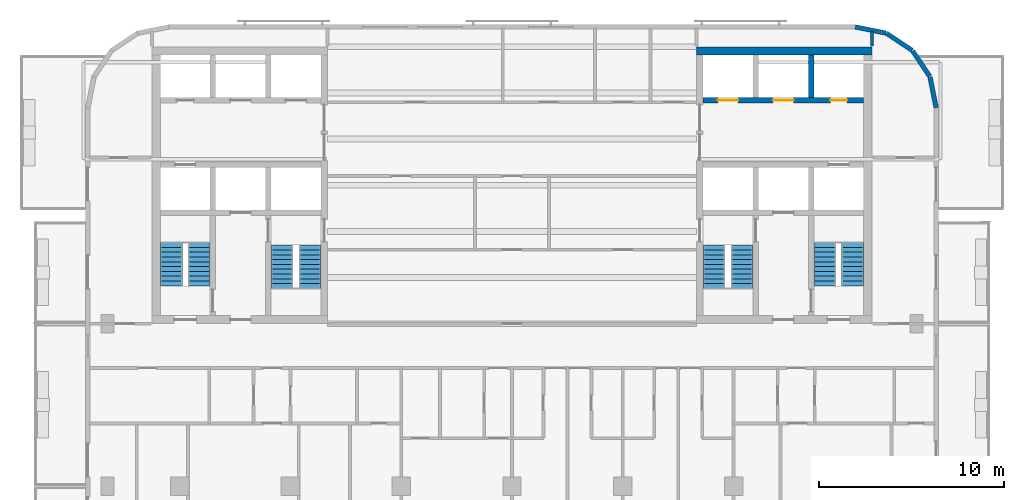
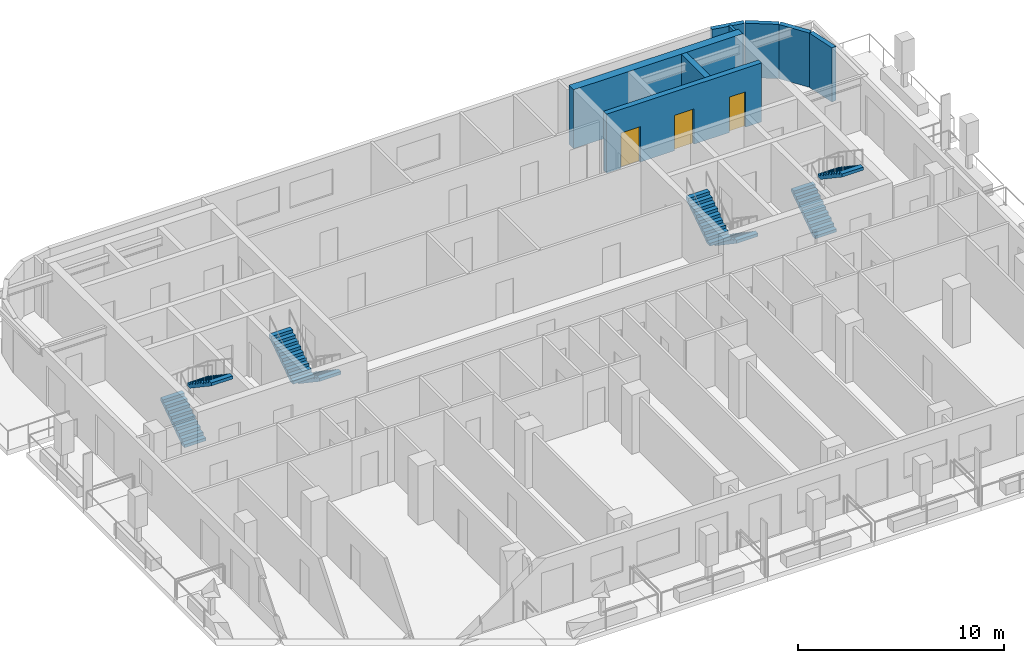
# One storey, part 7 of 11: 8 stair flights, 8 walls, 3 doors, 3 openings, 4 elements without a shape of their own.
"""IFC4 building model written with IfcOpenShell, lengths in metres."""

from ifc_helpers import new_model, si_unit, direction, frame, frame_2d, origin, place, context, subcontext, project, spatial, polyline, rectangle, outline, extrude, material, layer, layer_set, type_object, element, fill, aggregate, save


model = new_model("IFC4")

# Units and contexts
model_context = context("Model", 3, precision=1e-05, world=origin(), true_north=direction((0.0, 1.0)))
body_context = subcontext(model_context, "Body", "Model", "MODEL_VIEW")
ifc_project = project(units=[si_unit("LENGTHUNIT", "METRE"), si_unit("AREAUNIT", "SQUARE_METRE"), si_unit("VOLUMEUNIT", "CUBIC_METRE"), si_unit("PLANEANGLEUNIT", "RADIAN"), si_unit("MASSUNIT", "GRAM", prefix="KILO")], contexts=[model_context])

# Site, building, storey
site_placement = place(None, origin())
site = spatial("IfcSite", under=ifc_project, at=site_placement, CompositionType="ELEMENT")
building_placement = place(site_placement, origin())
building = spatial("IfcBuilding", under=site, at=building_placement, Name="Torana Hotel and Residences", CompositionType="ELEMENT")
storey_placement = place(building_placement, frame((0.0, 0.0, 280.60009765625)))
storey = spatial("IfcBuildingStorey", under=building, at=storey_placement, Name="L74", CompositionType="ELEMENT", Elevation=280.60009765625)

# Wall, openings, doors
ifc_material_1 = material(Name="Concrete C60/75", Category="concrete")
ifc_layer_1 = layer(ifc_material_1, 0.300048828125)
ifc_layer_set_1 = layer_set([ifc_layer_1], Name="CORE WALL 300 C60/75")
wall_type_1 = type_object("IfcWallType", Name="CORE WALL 300 C60/75", PredefinedType="SHEAR", material=ifc_layer_set_1)
wall_1_placement = place(storey_placement, frame((10.35009765625, -2.89990234375, 0.0), z_axis=(0.0, 0.0, 1.0), x_axis=(1.0, 0.0, 0.0)))
wall_1 = element("IfcWall", 1, at=wall_1_placement, inside=storey, type_object=wall_type_1, Name="Core wall E row-N", PredefinedType="SHEAR", context=body_context, shape_type="SweptSolid", body=[
    extrude(rectangle(XDim=8.699951171875, YDim=0.300048828125, at=frame_2d((4.35009765625, 0.0))), origin(), (0.0, 0.0, 1.0), 3.5),
])
opening_1_placement = place(wall_1_placement, frame((0.800048828125, 0.0, 0.0)))
opening_1 = element("IfcOpeningElement", 2, at=opening_1_placement, cuts=wall_1, Name="Opening LD", PredefinedType="OPENING", context=body_context, shape_type="SweptSolid", body=[
    extrude(rectangle(XDim=1.10009765625, YDim=2.10009765625, at=frame_2d((0.550048828125, 1.050048828125))), frame((0.0, 0.159912109375, 0.0), z_axis=(0.0, -1.0, 0.0), x_axis=(1.0, 0.0, 0.0)), (0.0, 0.0, 1.0), 0.320068359375),
])
opening_2_placement = place(wall_1_placement, frame((3.800048828125, 0.0, 0.0)))
opening_2 = element("IfcOpeningElement", 3, at=opening_2_placement, cuts=wall_1, Name="Opening LD", PredefinedType="OPENING", context=body_context, shape_type="SweptSolid", body=[
    extrude(rectangle(XDim=1.10009765625, YDim=2.10009765625, at=frame_2d((0.550048828125, 1.050048828125))), frame((0.0, 0.159912109375, 0.0), z_axis=(0.0, -1.0, 0.0), x_axis=(1.0, 0.0, 0.0)), (0.0, 0.0, 1.0), 0.320068359375),
])
opening_3_placement = place(wall_1_placement, frame((6.89990234375, 0.0, 0.0)))
opening_3 = element("IfcOpeningElement", 4, at=opening_3_placement, cuts=wall_1, Name="Opening L74-14", PredefinedType="OPENING", context=body_context, shape_type="SweptSolid", body=[
    extrude(rectangle(XDim=0.89990234375, YDim=2.10009765625, at=frame_2d((0.449951171875, 1.050048828125))), frame((0.0, 0.159912109375, 0.0), z_axis=(0.0, -1.0, 0.0), x_axis=(1.0, 0.0, 0.0)), (0.0, 0.0, 1.0), 0.320068359375),
])
ifc_material_2 = material(Name="Stainless steel 316", Category="steel")
door_type_1 = type_object("IfcDoorType", Name="LIFT LANDING DOOR LD 1100x2100", OperationType="DOUBLE_DOOR_SLIDING", PredefinedType="USERDEFINED", material=ifc_material_2)
door_1_placement = place(opening_1_placement, origin())
door_1 = element("IfcDoor", 5, at=door_1_placement, inside=storey, type_object=door_type_1, Name="Lift landing door H3 L74", ObjectType="LIFT LANDING DOOR", OperationType="DOUBLE_DOOR_SLIDING", OverallHeight=2.10009765625, OverallWidth=1.10009765625, PredefinedType="USERDEFINED", context=body_context, shape_type="SweptSolid", body=[
    extrude(rectangle(XDim=1.10009765625, YDim=2.10009765625, at=frame_2d((0.550048828125, 1.050048828125))), frame((0.0, 0.02490234375, 0.0), z_axis=(0.0, -1.0, 0.0), x_axis=(1.0, 0.0, 0.0)), (0.0, 0.0, 1.0), 0.050048828125),
])
fill(opening_1, door_1)
door_2_placement = place(opening_2_placement, origin())
door_2 = element("IfcDoor", 6, at=door_2_placement, inside=storey, type_object=door_type_1, Name="Lift landing door H4 L74", ObjectType="LIFT LANDING DOOR", OperationType="DOUBLE_DOOR_SLIDING", OverallHeight=2.10009765625, OverallWidth=1.10009765625, PredefinedType="USERDEFINED", context=body_context, shape_type="SweptSolid", body=[
    extrude(rectangle(XDim=1.10009765625, YDim=2.10009765625, at=frame_2d((0.550048828125, 1.050048828125))), frame((0.0, 0.02490234375, 0.0), z_axis=(0.0, -1.0, 0.0), x_axis=(1.0, 0.0, 0.0)), (0.0, 0.0, 1.0), 0.050048828125),
])
fill(opening_2, door_2)
ifc_material_3 = material(Name="Steel S235", Category="steel")
door_type_2 = type_object("IfcDoorType", Name="RISER ACCESS DOOR D5 900x2100", OperationType="SINGLE_SWING_LEFT", PredefinedType="DOOR", material=ifc_material_3)
door_3_placement = place(opening_3_placement, origin())
door_3 = element("IfcDoor", 7, at=door_3_placement, inside=storey, type_object=door_type_2, Name="N2 door L74", OperationType="SINGLE_SWING_RIGHT", OverallHeight=2.10009765625, OverallWidth=0.89990234375, PredefinedType="DOOR", context=body_context, shape_type="SweptSolid", body=[
    extrude(rectangle(XDim=0.89990234375, YDim=2.10009765625, at=frame_2d((0.449951171875, 1.050048828125))), frame((0.0, 0.02490234375, 0.0), z_axis=(0.0, -1.0, 0.0), x_axis=(1.0, 0.0, 0.0)), (0.0, 0.0, 1.0), 0.050048828125),
])
fill(opening_3, door_3)

# Walls
wall_2_placement = place(storey_placement, frame((16.199951171875, -2.75, 0.0), z_axis=(0.0, 0.0, 1.0), x_axis=(0.0, 1.0, 0.0)))
element("IfcWall", 8, at=wall_2_placement, inside=storey, type_object=wall_type_1, Name="Core wall E x6.05-N", PredefinedType="SHEAR", context=body_context, shape_type="SweptSolid", body=[
    extrude(rectangle(XDim=2.300048828125, YDim=0.300048828125, at=frame_2d((1.14990234375, 0.0))), origin(), (0.0, 0.0, 1.0), 3.5),
])
ifc_material_4 = material(Name="Concrete C60/75", Category="concrete")
ifc_layer_2 = layer(ifc_material_4, 0.449951171875)
ifc_layer_set_2 = layer_set([ifc_layer_2], Name="CORE WALL 450 C60/75")
wall_type_2 = type_object("IfcWallType", Name="CORE WALL 450 C60/75", PredefinedType="SHEAR", material=ifc_layer_set_2)
wall_3_placement = place(storey_placement, frame((10.0, -0.22509765625, 0.0), z_axis=(0.0, 0.0, 1.0), x_axis=(1.0, 0.0, 0.0)))
element("IfcWall", 9, at=wall_3_placement, inside=storey, type_object=wall_type_2, Name="Core wall E rear", PredefinedType="SHEAR", context=body_context, shape_type="SweptSolid", body=[
    extrude(rectangle(XDim=9.5, YDim=0.449951171875, at=frame_2d((4.75, 0.0))), origin(), (0.0, 0.0, 1.0), 3.5),
])
ifc_material_5 = material(Name="Black aluminium composite panel", Category="aluminium")
ifc_layer_3 = layer(ifc_material_5, 0.00390625, Name="Cladding", Category="cladding")
ifc_material_6 = material(Name="Ventilated air cavity")
ifc_layer_4 = layer(ifc_material_6, 0.0400390625, Name="Ventilated cavity", Category="cavity")
ifc_material_7 = material(Name="Mineral wool insulation")
ifc_layer_5 = layer(ifc_material_7, 0.090087890625, Name="Insulation", Category="insulation")
ifc_material_8 = material(Name="Steel S280GD", Category="steel")
ifc_layer_6 = layer(ifc_material_8, 0.092041015625, Name="Steel stud frame", Category="structure")
ifc_material_9 = material(Name="Fire rated plasterboard")
ifc_layer_7 = layer(ifc_material_9, 0.011962890625, Name="Inner board", Category="finish")
ifc_layer_8 = layer(ifc_material_9, 0.011962890625, Name="Second board", Category="finish")
ifc_layer_set_3 = layer_set([ifc_layer_3, ifc_layer_4, ifc_layer_5, ifc_layer_6, ifc_layer_7, ifc_layer_8], Name="EW1 EXTERNAL WALL BLACK METAL CLAD 250")
wall_type_3 = type_object("IfcWallType", Name="EW1 EXTERNAL WALL BLACK METAL CLAD 250", PredefinedType="SOLIDWALL", material=ifc_layer_set_3)
wall_4_placement = place(storey_placement, frame((22.97265625, -3.30029296875, 0.0), z_axis=(0.0, 0.0, 1.0), x_axis=(-0.19513878023, 0.980775640221, 0.0)))
element("IfcWall", 10, at=wall_4_placement, inside=storey, type_object=wall_type_3, Name="External wall L74 e0.0", PredefinedType="SOLIDWALL", context=body_context, shape_type="SweptSolid", body=[
    extrude(rectangle(XDim=1.681396484375, YDim=0.25, at=frame_2d((0.8408203125, 0.0))), origin(), (0.0, 0.0, 1.0), 3.219970703125),
])
for number, where, z_axis, x_axis, name in (
    (11, (22.6259765625, -1.60595703125, 0.0), (0.0, 0.0, 1.0), (-0.55555029066, 0.831482937015, 0.0), "External wall L74 e0.1"),
    (12, (21.671142578125, -0.1943359375, 0.0), (0.0, 0.0, 1.0), (-0.831482937015, 0.55555029066, 0.0), "External wall L74 e0.2"),
):
    element("IfcWall", number, at=place(storey_placement, frame(where, z_axis=z_axis, x_axis=x_axis)), inside=storey, type_object=wall_type_3, Name=name, PredefinedType="SOLIDWALL", context=body_context, shape_type="SweptSolid", body=[
        extrude(rectangle(XDim=1.65625, YDim=0.25, at=frame_2d((0.828125, 0.0))), origin(), (0.0, 0.0, 1.0), 3.219970703125),
    ])
wall_5_placement = place(storey_placement, frame((20.248779296875, 0.74462890625, 0.0), z_axis=(0.0, 0.0, 1.0), x_axis=(-0.980797896849, 0.195026884138, 0.0)))
element("IfcWall", 13, at=wall_5_placement, inside=storey, type_object=wall_type_3, Name="External wall L74 e0.3", PredefinedType="SOLIDWALL", context=body_context, shape_type="SweptSolid", body=[
    extrude(rectangle(XDim=1.68115234375, YDim=0.25, at=frame_2d((0.840576171875, 0.0))), origin(), (0.0, 0.0, 1.0), 3.219970703125),
])
ifc_material_10 = material(Name="Gypsum plasterboard")
ifc_layer_9 = layer(ifc_material_10, 0.012451171875, Name="Plasterboard", Category="finish")
ifc_layer_10 = layer(ifc_material_10, 0.012451171875, Name="Plasterboard", Category="finish")
ifc_layer_11 = layer(ifc_material_8, 0.10009765625, Name="Steel studs with mineral wool", Category="insulation")
ifc_layer_12 = layer(ifc_material_10, 0.012451171875, Name="Plasterboard", Category="finish")
ifc_layer_13 = layer(ifc_material_10, 0.012451171875, Name="Plasterboard", Category="finish")
ifc_layer_set_4 = layer_set([ifc_layer_9, ifc_layer_10, ifc_layer_11, ifc_layer_12, ifc_layer_13], Name="PARTITION 150 PLASTERBOARD")
wall_type_4 = type_object("IfcWallType", Name="PARTITION 150 PLASTERBOARD", PredefinedType="PARTITIONING", material=ifc_layer_set_4)
wall_6_placement = place(storey_placement, frame((19.5, 0.050048828125, 0.0), z_axis=(0.0, 0.0, 1.0), x_axis=(0.0, 1.0, 0.0)))
element("IfcWall", 14, at=wall_6_placement, inside=storey, type_object=wall_type_4, Name="Partition L74", PredefinedType="PARTITIONING", context=body_context, shape_type="SweptSolid", body=[
    extrude(rectangle(XDim=0.787353515625, YDim=0.14990234375, at=frame_2d((0.3935546875, 0.0))), origin(), (0.0, 0.0, 1.0), 3.219970703125),
])

# Stair, stair flights
ifc_material_11 = material(Name="Concrete C40/50 precast", Category="concrete")
stair_type_1 = type_object("IfcStairType", Name="STAIR ST1 HALF TURN 1200", PredefinedType="HALF_TURN_STAIR", material=ifc_material_11)
stair_1_placement = place(storey_placement, origin())
stair_1 = element("IfcStair", 15, at=stair_1_placement, inside=storey, type_object=stair_type_1, Name="Stair ST1 L74", PredefinedType="HALF_TURN_STAIR")
ifc_material_12 = material(Name="Concrete C40/50 precast", Category="concrete")
stair_flight_type = type_object("IfcStairFlightType", Name="STAIR FLIGHT 1200 PRECAST", PredefinedType="STRAIGHT", material=ifc_material_12)
stair_flight_1_placement = place(storey_placement, frame((-10.949951171875, -10.75, 0.0), z_axis=(0.0, 0.0, 1.0), x_axis=(0.0, -1.0, 0.0)))
stair_flight_1 = element("IfcStairFlight", 16, at=stair_flight_1_placement, type_object=stair_flight_type, Name="ST1 flight 1", NumberOfRisers=10, NumberOfTreads=9, PredefinedType="STRAIGHT", RiserHeight=0.175, TreadLength=0.26, context=body_context, shape_type="SweptSolid", body=[
    extrude(outline(polyline([(0.0, 0.0), (0.0, 0.175048828125), (0.260009765625, 0.175048828125), (0.260009765625, 0.35009765625), (0.52001953125, 0.35009765625), (0.52001953125, 0.52490234375), (0.780029296875, 0.52490234375), (0.780029296875, 0.699951171875), (1.0400390625, 0.699951171875), (1.0400390625, 0.875), (1.300048828125, 0.875), (1.300048828125, 1.050048828125), (1.56005859375, 1.050048828125), (1.56005859375, 1.22509765625), (1.820068359375, 1.22509765625), (1.820068359375, 1.39990234375), (2.080078125, 1.39990234375), (2.080078125, 1.574951171875), (2.340087890625, 1.574951171875), (2.340087890625, 1.75), (2.340087890625, 1.394287109375), (0.2685546875, 0.0), (0.0, 0.0)])), frame((0.0, 0.60009765625, 0.0), z_axis=(0.0, -1.0, 0.0), x_axis=(1.0, 0.0, 0.0)), (0.0, 0.0, 1.0), 1.199951171875),
])
stair_flight_2_placement = place(storey_placement, frame((-12.449951171875, -13.090087890625, 1.75), z_axis=(0.0, 0.0, 1.0), x_axis=(0.0, 1.0, 0.0)))
stair_flight_2 = element("IfcStairFlight", 17, at=stair_flight_2_placement, type_object=stair_flight_type, Name="ST1 flight 2", NumberOfRisers=10, NumberOfTreads=9, PredefinedType="STRAIGHT", RiserHeight=0.175, TreadLength=0.26, context=body_context, shape_type="SweptSolid", body=[
    extrude(outline(polyline([(0.0, 0.0), (0.0, 0.175048828125), (0.260009765625, 0.175048828125), (0.260009765625, 0.35009765625), (0.52001953125, 0.35009765625), (0.52001953125, 0.52490234375), (0.780029296875, 0.52490234375), (0.780029296875, 0.699951171875), (1.0400390625, 0.699951171875), (1.0400390625, 0.875), (1.300048828125, 0.875), (1.300048828125, 1.050048828125), (1.56005859375, 1.050048828125), (1.56005859375, 1.22509765625), (1.820068359375, 1.22509765625), (1.820068359375, 1.39990234375), (2.080078125, 1.39990234375), (2.080078125, 1.574951171875), (2.340087890625, 1.574951171875), (2.340087890625, 1.75), (2.340087890625, 1.394287109375), (0.2685546875, 0.0), (0.0, 0.0)])), frame((0.0, 0.60009765625, 0.0), z_axis=(0.0, -1.0, 0.0), x_axis=(1.0, 0.0, 0.0)), (0.0, 0.0, 1.0), 1.199951171875),
])
aggregate(stair_1, [stair_flight_1, stair_flight_2])

ifc_material_13 = material(Name="Concrete C40/50 precast", Category="concrete")
stair_type_2 = type_object("IfcStairType", Name="STAIR ST2 HALF TURN 1200", PredefinedType="HALF_TURN_STAIR", material=ifc_material_13)
stair_2_placement = place(storey_placement, origin())
stair_2 = element("IfcStair", 18, at=stair_2_placement, inside=storey, type_object=stair_type_2, Name="Stair ST2 L74", PredefinedType="HALF_TURN_STAIR")
stair_flight_3_placement = place(storey_placement, frame((-18.449951171875, -12.949951171875, 0.0), z_axis=(0.0, 0.0, 1.0), x_axis=(0.0, 1.0, 0.0)))
stair_flight_3 = element("IfcStairFlight", 19, at=stair_flight_3_placement, type_object=stair_flight_type, Name="ST2 flight 1", NumberOfRisers=10, NumberOfTreads=9, PredefinedType="STRAIGHT", RiserHeight=0.175, TreadLength=0.26, context=body_context, shape_type="SweptSolid", body=[
    extrude(outline(polyline([(0.0, 0.0), (0.0, 0.175048828125), (0.260009765625, 0.175048828125), (0.260009765625, 0.35009765625), (0.52001953125, 0.35009765625), (0.52001953125, 0.52490234375), (0.780029296875, 0.52490234375), (0.780029296875, 0.699951171875), (1.0400390625, 0.699951171875), (1.0400390625, 0.875), (1.300048828125, 0.875), (1.300048828125, 1.050048828125), (1.56005859375, 1.050048828125), (1.56005859375, 1.22509765625), (1.820068359375, 1.22509765625), (1.820068359375, 1.39990234375), (2.080078125, 1.39990234375), (2.080078125, 1.574951171875), (2.340087890625, 1.574951171875), (2.340087890625, 1.75), (2.340087890625, 1.394287109375), (0.2685546875, 0.0), (0.0, 0.0)])), frame((0.0, 0.60009765625, 0.0), z_axis=(0.0, -1.0, 0.0), x_axis=(1.0, 0.0, 0.0)), (0.0, 0.0, 1.0), 1.199951171875),
])
stair_flight_4_placement = place(storey_placement, frame((-16.949951171875, -10.610107421875, 1.75), z_axis=(0.0, 0.0, 1.0), x_axis=(0.0, -1.0, 0.0)))
stair_flight_4 = element("IfcStairFlight", 20, at=stair_flight_4_placement, type_object=stair_flight_type, Name="ST2 flight 2", NumberOfRisers=10, NumberOfTreads=9, PredefinedType="STRAIGHT", RiserHeight=0.175, TreadLength=0.26, context=body_context, shape_type="SweptSolid", body=[
    extrude(outline(polyline([(0.0, 0.0), (0.0, 0.175048828125), (0.260009765625, 0.175048828125), (0.260009765625, 0.35009765625), (0.52001953125, 0.35009765625), (0.52001953125, 0.52490234375), (0.780029296875, 0.52490234375), (0.780029296875, 0.699951171875), (1.0400390625, 0.699951171875), (1.0400390625, 0.875), (1.300048828125, 0.875), (1.300048828125, 1.050048828125), (1.56005859375, 1.050048828125), (1.56005859375, 1.22509765625), (1.820068359375, 1.22509765625), (1.820068359375, 1.39990234375), (2.080078125, 1.39990234375), (2.080078125, 1.574951171875), (2.340087890625, 1.574951171875), (2.340087890625, 1.75), (2.340087890625, 1.394287109375), (0.2685546875, 0.0), (0.0, 0.0)])), frame((0.0, 0.60009765625, 0.0), z_axis=(0.0, -1.0, 0.0), x_axis=(1.0, 0.0, 0.0)), (0.0, 0.0, 1.0), 1.199951171875),
])
aggregate(stair_2, [stair_flight_3, stair_flight_4])

ifc_material_14 = material(Name="Concrete C40/50 precast", Category="concrete")
stair_type_3 = type_object("IfcStairType", Name="STAIR ST3 HALF TURN 1200", PredefinedType="HALF_TURN_STAIR", material=ifc_material_14)
stair_3_placement = place(storey_placement, origin())
stair_3 = element("IfcStair", 21, at=stair_3_placement, inside=storey, type_object=stair_type_3, Name="Stair ST3 L74", PredefinedType="HALF_TURN_STAIR")
stair_flight_5_placement = place(storey_placement, frame((12.449951171875, -10.75, 0.0), z_axis=(0.0, 0.0, 1.0), x_axis=(0.0, -1.0, 0.0)))
stair_flight_5 = element("IfcStairFlight", 22, at=stair_flight_5_placement, type_object=stair_flight_type, Name="ST3 flight 1", NumberOfRisers=10, NumberOfTreads=9, PredefinedType="STRAIGHT", RiserHeight=0.175, TreadLength=0.26, context=body_context, shape_type="SweptSolid", body=[
    extrude(outline(polyline([(0.0, 0.0), (0.0, 0.175048828125), (0.260009765625, 0.175048828125), (0.260009765625, 0.35009765625), (0.52001953125, 0.35009765625), (0.52001953125, 0.52490234375), (0.780029296875, 0.52490234375), (0.780029296875, 0.699951171875), (1.0400390625, 0.699951171875), (1.0400390625, 0.875), (1.300048828125, 0.875), (1.300048828125, 1.050048828125), (1.56005859375, 1.050048828125), (1.56005859375, 1.22509765625), (1.820068359375, 1.22509765625), (1.820068359375, 1.39990234375), (2.080078125, 1.39990234375), (2.080078125, 1.574951171875), (2.340087890625, 1.574951171875), (2.340087890625, 1.75), (2.340087890625, 1.394287109375), (0.2685546875, 0.0), (0.0, 0.0)])), frame((0.0, 0.60009765625, 0.0), z_axis=(0.0, -1.0, 0.0), x_axis=(1.0, 0.0, 0.0)), (0.0, 0.0, 1.0), 1.199951171875),
])
stair_flight_6_placement = place(storey_placement, frame((10.949951171875, -13.090087890625, 1.75), z_axis=(0.0, 0.0, 1.0), x_axis=(0.0, 1.0, 0.0)))
stair_flight_6 = element("IfcStairFlight", 23, at=stair_flight_6_placement, type_object=stair_flight_type, Name="ST3 flight 2", NumberOfRisers=10, NumberOfTreads=9, PredefinedType="STRAIGHT", RiserHeight=0.175, TreadLength=0.26, context=body_context, shape_type="SweptSolid", body=[
    extrude(outline(polyline([(0.0, 0.0), (0.0, 0.175048828125), (0.260009765625, 0.175048828125), (0.260009765625, 0.35009765625), (0.52001953125, 0.35009765625), (0.52001953125, 0.52490234375), (0.780029296875, 0.52490234375), (0.780029296875, 0.699951171875), (1.0400390625, 0.699951171875), (1.0400390625, 0.875), (1.300048828125, 0.875), (1.300048828125, 1.050048828125), (1.56005859375, 1.050048828125), (1.56005859375, 1.22509765625), (1.820068359375, 1.22509765625), (1.820068359375, 1.39990234375), (2.080078125, 1.39990234375), (2.080078125, 1.574951171875), (2.340087890625, 1.574951171875), (2.340087890625, 1.75), (2.340087890625, 1.394287109375), (0.2685546875, 0.0), (0.0, 0.0)])), frame((0.0, 0.60009765625, 0.0), z_axis=(0.0, -1.0, 0.0), x_axis=(1.0, 0.0, 0.0)), (0.0, 0.0, 1.0), 1.199951171875),
])
aggregate(stair_3, [stair_flight_5, stair_flight_6])

ifc_material_15 = material(Name="Concrete C40/50 precast", Category="concrete")
stair_type_4 = type_object("IfcStairType", Name="STAIR ST4 HALF TURN 1200", PredefinedType="HALF_TURN_STAIR", material=ifc_material_15)
stair_4_placement = place(storey_placement, origin())
stair_4 = element("IfcStair", 24, at=stair_4_placement, inside=storey, type_object=stair_type_4, Name="Stair ST4 L74", PredefinedType="HALF_TURN_STAIR")
stair_flight_7_placement = place(storey_placement, frame((16.949951171875, -12.949951171875, 0.0), z_axis=(0.0, 0.0, 1.0), x_axis=(0.0, 1.0, 0.0)))
stair_flight_7 = element("IfcStairFlight", 25, at=stair_flight_7_placement, type_object=stair_flight_type, Name="ST4 flight 1", NumberOfRisers=10, NumberOfTreads=9, PredefinedType="STRAIGHT", RiserHeight=0.175, TreadLength=0.26, context=body_context, shape_type="SweptSolid", body=[
    extrude(outline(polyline([(0.0, 0.0), (0.0, 0.175048828125), (0.260009765625, 0.175048828125), (0.260009765625, 0.35009765625), (0.52001953125, 0.35009765625), (0.52001953125, 0.52490234375), (0.780029296875, 0.52490234375), (0.780029296875, 0.699951171875), (1.0400390625, 0.699951171875), (1.0400390625, 0.875), (1.300048828125, 0.875), (1.300048828125, 1.050048828125), (1.56005859375, 1.050048828125), (1.56005859375, 1.22509765625), (1.820068359375, 1.22509765625), (1.820068359375, 1.39990234375), (2.080078125, 1.39990234375), (2.080078125, 1.574951171875), (2.340087890625, 1.574951171875), (2.340087890625, 1.75), (2.340087890625, 1.394287109375), (0.2685546875, 0.0), (0.0, 0.0)])), frame((0.0, 0.60009765625, 0.0), z_axis=(0.0, -1.0, 0.0), x_axis=(1.0, 0.0, 0.0)), (0.0, 0.0, 1.0), 1.199951171875),
])
stair_flight_8_placement = place(storey_placement, frame((18.449951171875, -10.610107421875, 1.75), z_axis=(0.0, 0.0, 1.0), x_axis=(0.0, -1.0, 0.0)))
stair_flight_8 = element("IfcStairFlight", 26, at=stair_flight_8_placement, type_object=stair_flight_type, Name="ST4 flight 2", NumberOfRisers=10, NumberOfTreads=9, PredefinedType="STRAIGHT", RiserHeight=0.175, TreadLength=0.26, context=body_context, shape_type="SweptSolid", body=[
    extrude(outline(polyline([(0.0, 0.0), (0.0, 0.175048828125), (0.260009765625, 0.175048828125), (0.260009765625, 0.35009765625), (0.52001953125, 0.35009765625), (0.52001953125, 0.52490234375), (0.780029296875, 0.52490234375), (0.780029296875, 0.699951171875), (1.0400390625, 0.699951171875), (1.0400390625, 0.875), (1.300048828125, 0.875), (1.300048828125, 1.050048828125), (1.56005859375, 1.050048828125), (1.56005859375, 1.22509765625), (1.820068359375, 1.22509765625), (1.820068359375, 1.39990234375), (2.080078125, 1.39990234375), (2.080078125, 1.574951171875), (2.340087890625, 1.574951171875), (2.340087890625, 1.75), (2.340087890625, 1.394287109375), (0.2685546875, 0.0), (0.0, 0.0)])), frame((0.0, 0.60009765625, 0.0), z_axis=(0.0, -1.0, 0.0), x_axis=(1.0, 0.0, 0.0)), (0.0, 0.0, 1.0), 1.199951171875),
])
aggregate(stair_4, [stair_flight_7, stair_flight_8])

save(model, "model.ifc")
